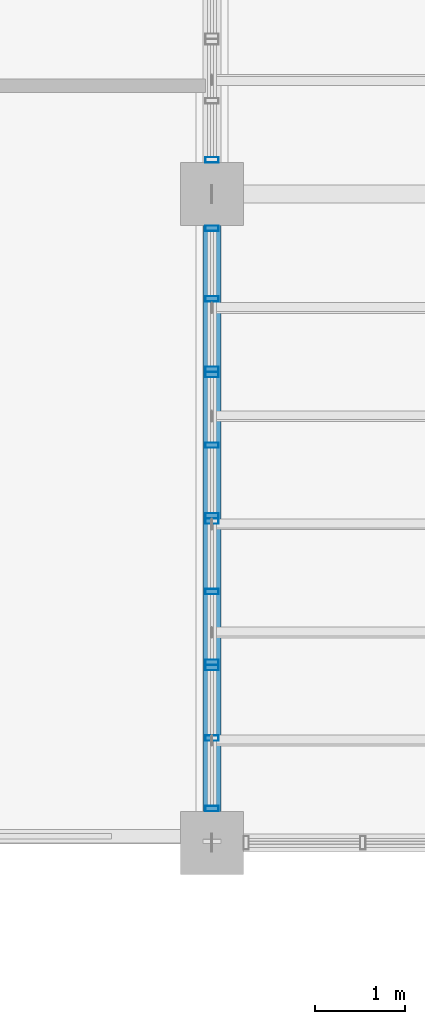
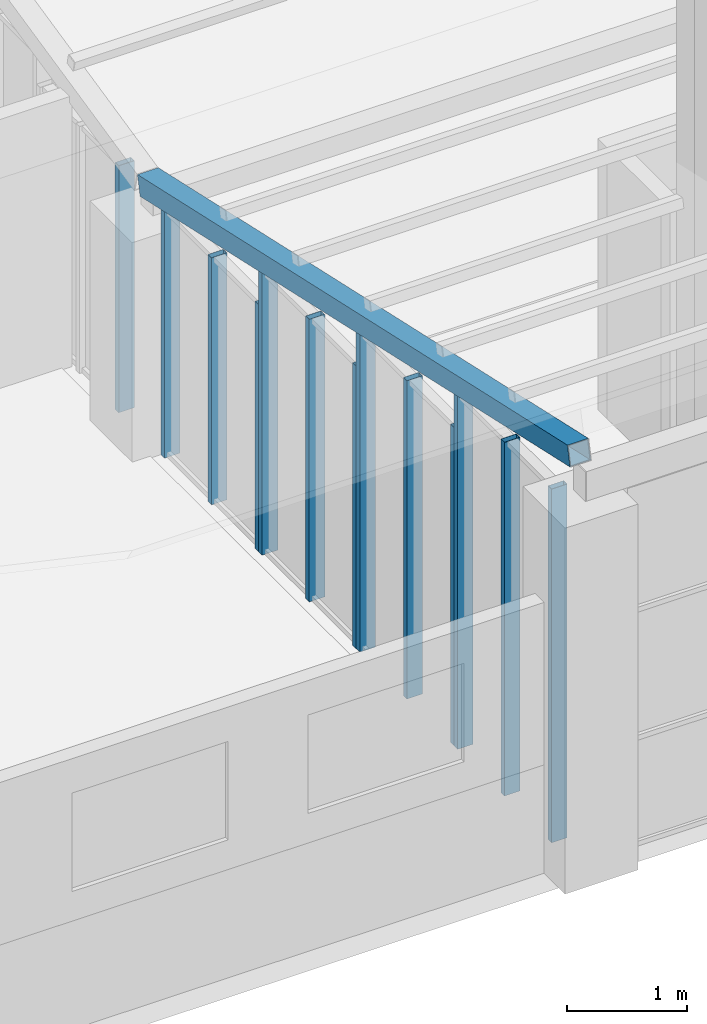
# One storey, part 12 of 51: 14 members, 5 elements without a shape of their own.
"""IFC4 building model written with IfcOpenShell, lengths in metres."""

from ifc_helpers import new_model, si_unit, direction, frame, origin, origin_2d, place, context, subcontext, project, spatial, hollow_rectangle, extrude, material, material_profile, profile_set, type_object, element, aggregate, save


model = new_model("IFC4")

# Units and contexts
model_context = context("Model", 3, precision=1e-05, world=origin(), true_north=direction((0.0, 1.0)))
body_context = subcontext(model_context, "Body", "Model", "MODEL_VIEW")
ifc_project = project(units=[si_unit("LENGTHUNIT", "METRE"), si_unit("AREAUNIT", "SQUARE_METRE"), si_unit("VOLUMEUNIT", "CUBIC_METRE"), si_unit("PLANEANGLEUNIT", "RADIAN"), si_unit("MASSUNIT", "GRAM", prefix="KILO")], contexts=[model_context])

# Site, building, storey
site_placement = place(None, origin())
site = spatial("IfcSite", under=ifc_project, at=site_placement, CompositionType="ELEMENT")
building_placement = place(site_placement, origin())
building = spatial("IfcBuilding", under=site, at=building_placement, Name="Laocheng Heights Fire and Rescue Headquarters", CompositionType="ELEMENT")
storey_placement = place(building_placement, frame((0.0, 0.0, 21.0)))
storey = spatial("IfcBuildingStorey", under=building, at=storey_placement, Name="L05", CompositionType="ELEMENT", Elevation=21.0)

# Curtain wall, members
ifc_material_1 = material(Name="Dark anodised aluminium unitised curtain wall, low-e double glazing", Category="aluminium")
curtain_wall_type_1 = type_object("IfcCurtainWallType", Name="CW 1625 x 3590 CREW LOUNGE END UNIT", PredefinedType="NOTDEFINED", material=ifc_material_1)
curtain_wall_1_placement = place(storey_placement, origin())
curtain_wall_1 = element("IfcCurtainWall", 1, at=curtain_wall_1_placement, inside=storey, type_object=curtain_wall_type_1, Name="X12-W CREW LOUNGE WEST 36 1", PredefinedType="NOTDEFINED")
ifc_material_2 = material(Name="Dark anodised aluminium 6063-T5 extrusion", Category="aluminium")
ifc_material_profile_1 = material_profile(ifc_material_2, hollow_rectangle(XDim=0.14990234375, YDim=0.06005859375, WallThickness=0.0029296875, at=origin_2d()), Name="AL MULLION 150x60x3 CREW LOUNGE END UNIT")
ifc_profile_set_1 = profile_set([ifc_material_profile_1], Name="Dark anodised aluminium 6063-T5 extrusion")
member_type_1 = type_object("IfcMemberType", Name="AL MULLION 150x60x3 CREW LOUNGE END UNIT", PredefinedType="MULLION", material=ifc_profile_set_1)
member_1_placement = place(storey_placement, frame((96.0, 36.3798828125, 0.0), z_axis=(0.0, 0.0, 1.0), x_axis=(-1.0, 0.0, 0.0)))
member_1 = element("IfcMember", 2, at=member_1_placement, type_object=member_type_1, Name="X12-W mullion 1", PredefinedType="MULLION", context=body_context, shape_type="SweptSolid", body=[
    extrude(hollow_rectangle(XDim=0.14990234375, YDim=0.06005859375, WallThickness=0.0029296875, at=origin_2d()), origin(), (0.0, 0.0, 1.0), 3.590087890625),
])
member_2_placement = place(storey_placement, frame((96.0, 37.16259765625, 0.0), z_axis=(0.0, 0.0, 1.0), x_axis=(-1.0, 0.0, 0.0)))
member_2 = element("IfcMember", 3, at=member_2_placement, type_object=member_type_1, Name="X12-W mullion 2", PredefinedType="MULLION", context=body_context, shape_type="SweptSolid", body=[
    extrude(hollow_rectangle(XDim=0.14990234375, YDim=0.06005859375, WallThickness=0.0029296875, at=origin_2d()), origin(), (0.0, 0.0, 1.0), 3.590087890625),
])
member_3_placement = place(storey_placement, frame((96.0, 37.945068359375, 0.0), z_axis=(0.0, 0.0, 1.0), x_axis=(-1.0, 0.0, 0.0)))
member_3 = element("IfcMember", 4, at=member_3_placement, type_object=member_type_1, Name="X12-W mullion 3", PredefinedType="MULLION", context=body_context, shape_type="SweptSolid", body=[
    extrude(hollow_rectangle(XDim=0.14990234375, YDim=0.06005859375, WallThickness=0.0029296875, at=origin_2d()), origin(), (0.0, 0.0, 1.0), 3.590087890625),
])
aggregate(curtain_wall_1, [member_1, member_2, member_3])

ifc_material_3 = material(Name="Dark anodised aluminium unitised curtain wall, low-e double glazing", Category="aluminium")
curtain_wall_type_2 = type_object("IfcCurtainWallType", Name="CW 1625 x 3229 CREW LOUNGE END UNIT", PredefinedType="NOTDEFINED", material=ifc_material_3)
curtain_wall_2_placement = place(storey_placement, origin())
curtain_wall_2 = element("IfcCurtainWall", 5, at=curtain_wall_2_placement, inside=storey, type_object=curtain_wall_type_2, Name="X13-W CREW LOUNGE WEST 36 2", PredefinedType="NOTDEFINED")
member_4_placement = place(storey_placement, frame((96.0, 38.0048828125, 0.0), z_axis=(0.0, 0.0, 1.0), x_axis=(-1.0, 0.0, 0.0)))
member_4 = element("IfcMember", 6, at=member_4_placement, type_object=member_type_1, Name="X13-W mullion 1", PredefinedType="MULLION", context=body_context, shape_type="SweptSolid", body=[
    extrude(hollow_rectangle(XDim=0.14990234375, YDim=0.06005859375, WallThickness=0.0029296875, at=origin_2d()), origin(), (0.0, 0.0, 1.0), 3.22900390625),
])
member_5_placement = place(storey_placement, frame((96.0, 38.78759765625, 0.0), z_axis=(0.0, 0.0, 1.0), x_axis=(-1.0, 0.0, 0.0)))
member_5 = element("IfcMember", 7, at=member_5_placement, type_object=member_type_1, Name="X13-W mullion 2", PredefinedType="MULLION", context=body_context, shape_type="SweptSolid", body=[
    extrude(hollow_rectangle(XDim=0.14990234375, YDim=0.06005859375, WallThickness=0.0029296875, at=origin_2d()), origin(), (0.0, 0.0, 1.0), 3.22900390625),
])
member_6_placement = place(storey_placement, frame((96.0, 39.570068359375, 0.0), z_axis=(0.0, 0.0, 1.0), x_axis=(-1.0, 0.0, 0.0)))
member_6 = element("IfcMember", 8, at=member_6_placement, type_object=member_type_1, Name="X13-W mullion 3", PredefinedType="MULLION", context=body_context, shape_type="SweptSolid", body=[
    extrude(hollow_rectangle(XDim=0.14990234375, YDim=0.06005859375, WallThickness=0.0029296875, at=origin_2d()), origin(), (0.0, 0.0, 1.0), 3.22900390625),
])
aggregate(curtain_wall_2, [member_4, member_5, member_6])

ifc_material_4 = material(Name="Dark anodised aluminium unitised curtain wall, low-e double glazing", Category="aluminium")
curtain_wall_type_3 = type_object("IfcCurtainWallType", Name="CW 1625 x 2868 CREW LOUNGE END UNIT", PredefinedType="NOTDEFINED", material=ifc_material_4)
curtain_wall_3_placement = place(storey_placement, origin())
curtain_wall_3 = element("IfcCurtainWall", 9, at=curtain_wall_3_placement, inside=storey, type_object=curtain_wall_type_3, Name="X14-W CREW LOUNGE WEST 36 3", PredefinedType="NOTDEFINED")
member_7_placement = place(storey_placement, frame((96.0, 39.6298828125, 0.0), z_axis=(0.0, 0.0, 1.0), x_axis=(-1.0, 0.0, 0.0)))
member_7 = element("IfcMember", 10, at=member_7_placement, type_object=member_type_1, Name="X14-W mullion 1", PredefinedType="MULLION", context=body_context, shape_type="SweptSolid", body=[
    extrude(hollow_rectangle(XDim=0.14990234375, YDim=0.06005859375, WallThickness=0.0029296875, at=origin_2d()), origin(), (0.0, 0.0, 1.0), 2.867919921875),
])
member_8_placement = place(storey_placement, frame((96.0, 40.41259765625, 0.0), z_axis=(0.0, 0.0, 1.0), x_axis=(-1.0, 0.0, 0.0)))
member_8 = element("IfcMember", 11, at=member_8_placement, type_object=member_type_1, Name="X14-W mullion 2", PredefinedType="MULLION", context=body_context, shape_type="SweptSolid", body=[
    extrude(hollow_rectangle(XDim=0.14990234375, YDim=0.06005859375, WallThickness=0.0029296875, at=origin_2d()), origin(), (0.0, 0.0, 1.0), 2.867919921875),
])
member_9_placement = place(storey_placement, frame((96.0, 41.195068359375, 0.0), z_axis=(0.0, 0.0, 1.0), x_axis=(-1.0, 0.0, 0.0)))
member_9 = element("IfcMember", 12, at=member_9_placement, type_object=member_type_1, Name="X14-W mullion 3", PredefinedType="MULLION", context=body_context, shape_type="SweptSolid", body=[
    extrude(hollow_rectangle(XDim=0.14990234375, YDim=0.06005859375, WallThickness=0.0029296875, at=origin_2d()), origin(), (0.0, 0.0, 1.0), 2.867919921875),
])
aggregate(curtain_wall_3, [member_7, member_8, member_9])

ifc_material_5 = material(Name="Dark anodised aluminium unitised curtain wall, low-e double glazing", Category="aluminium")
curtain_wall_type_4 = type_object("IfcCurtainWallType", Name="CW 1625 x 2507 CREW LOUNGE END UNIT", PredefinedType="NOTDEFINED", material=ifc_material_5)
curtain_wall_4_placement = place(storey_placement, origin())
curtain_wall_4 = element("IfcCurtainWall", 13, at=curtain_wall_4_placement, inside=storey, type_object=curtain_wall_type_4, Name="X15-W CREW LOUNGE WEST 36 4", PredefinedType="NOTDEFINED")
member_10_placement = place(storey_placement, frame((96.0, 41.2548828125, 0.0), z_axis=(0.0, 0.0, 1.0), x_axis=(-1.0, 0.0, 0.0)))
member_10 = element("IfcMember", 14, at=member_10_placement, type_object=member_type_1, Name="X15-W mullion 1", PredefinedType="MULLION", context=body_context, shape_type="SweptSolid", body=[
    extrude(hollow_rectangle(XDim=0.14990234375, YDim=0.06005859375, WallThickness=0.0029296875, at=origin_2d()), origin(), (0.0, 0.0, 1.0), 2.5068359375),
])
member_11_placement = place(storey_placement, frame((96.0, 42.03759765625, 0.0), z_axis=(0.0, 0.0, 1.0), x_axis=(-1.0, 0.0, 0.0)))
member_11 = element("IfcMember", 15, at=member_11_placement, type_object=member_type_1, Name="X15-W mullion 2", PredefinedType="MULLION", context=body_context, shape_type="SweptSolid", body=[
    extrude(hollow_rectangle(XDim=0.14990234375, YDim=0.06005859375, WallThickness=0.0029296875, at=origin_2d()), origin(), (0.0, 0.0, 1.0), 2.5068359375),
])
member_12_placement = place(storey_placement, frame((96.0, 42.820068359375, 0.0), z_axis=(0.0, 0.0, 1.0), x_axis=(-1.0, 0.0, 0.0)))
member_12 = element("IfcMember", 16, at=member_12_placement, type_object=member_type_1, Name="X15-W mullion 3", PredefinedType="MULLION", context=body_context, shape_type="SweptSolid", body=[
    extrude(hollow_rectangle(XDim=0.14990234375, YDim=0.06005859375, WallThickness=0.0029296875, at=origin_2d()), origin(), (0.0, 0.0, 1.0), 2.5068359375),
])
aggregate(curtain_wall_4, [member_10, member_11, member_12])

# Curtain wall, member
ifc_material_6 = material(Name="Dark anodised aluminium unitised curtain wall, low-e double glazing", Category="aluminium")
curtain_wall_type_5 = type_object("IfcCurtainWallType", Name="CW 1370 x 2507 CREW LOUNGE END UNIT", PredefinedType="NOTDEFINED", material=ifc_material_6)
curtain_wall_5_placement = place(storey_placement, origin())
curtain_wall_5 = element("IfcCurtainWall", 17, at=curtain_wall_5_placement, inside=storey, type_object=curtain_wall_type_5, Name="X16-W CREW LOUNGE WEST 43 1", PredefinedType="NOTDEFINED")
member_13_placement = place(storey_placement, frame((96.0, 43.580078125, 0.0), z_axis=(0.0, 0.0, 1.0), x_axis=(-1.0, 0.0, 0.0)))
member_13 = element("IfcMember", 18, at=member_13_placement, type_object=member_type_1, Name="X16-W mullion 1", PredefinedType="MULLION", context=body_context, shape_type="SweptSolid", body=[
    extrude(hollow_rectangle(XDim=0.14990234375, YDim=0.06005859375, WallThickness=0.0029296875, at=origin_2d()), origin(), (0.0, 0.0, 1.0), 2.5068359375),
])
aggregate(curtain_wall_5, [member_13])

# Member
ifc_material_7 = material(Name="Steel Q355B", Category="steel")
ifc_material_profile_2 = material_profile(ifc_material_7, hollow_rectangle(XDim=0.199951171875, YDim=0.199951171875, WallThickness=0.008056640625, at=origin_2d()), Name="SHS 200x200x8")
ifc_profile_set_2 = profile_set([ifc_material_profile_2], Name="Steel Q355B")
member_type_2 = type_object("IfcMemberType", Name="SHS 200x200x8 RAFTER", PredefinedType="RAFTER", material=ifc_profile_set_2)
member_14_placement = place(storey_placement, frame((96.0, 36.021728515625, 4.13427734375), z_axis=(0.0, 0.976185491983, -0.216937514604), x_axis=(-1.0, 0.0, 0.0)))
element("IfcMember", 19, at=member_14_placement, inside=storey, type_object=member_type_2, Name="Butterfly rafter S 96", PredefinedType="RAFTER", context=body_context, shape_type="SweptSolid", body=[
    extrude(hollow_rectangle(XDim=0.199951171875, YDim=0.199951171875, WallThickness=0.008056640625, at=origin_2d()), origin(), (0.0, 0.0, 1.0), 7.326416015625),
])

save(model, "model.ifc")
